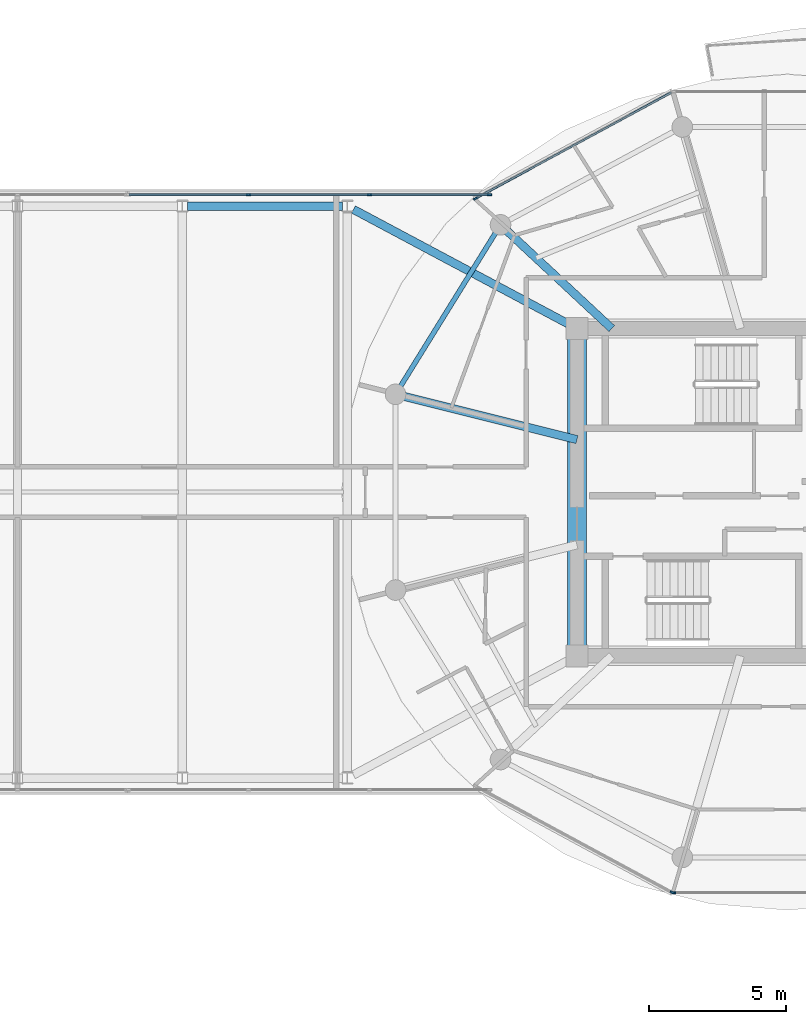
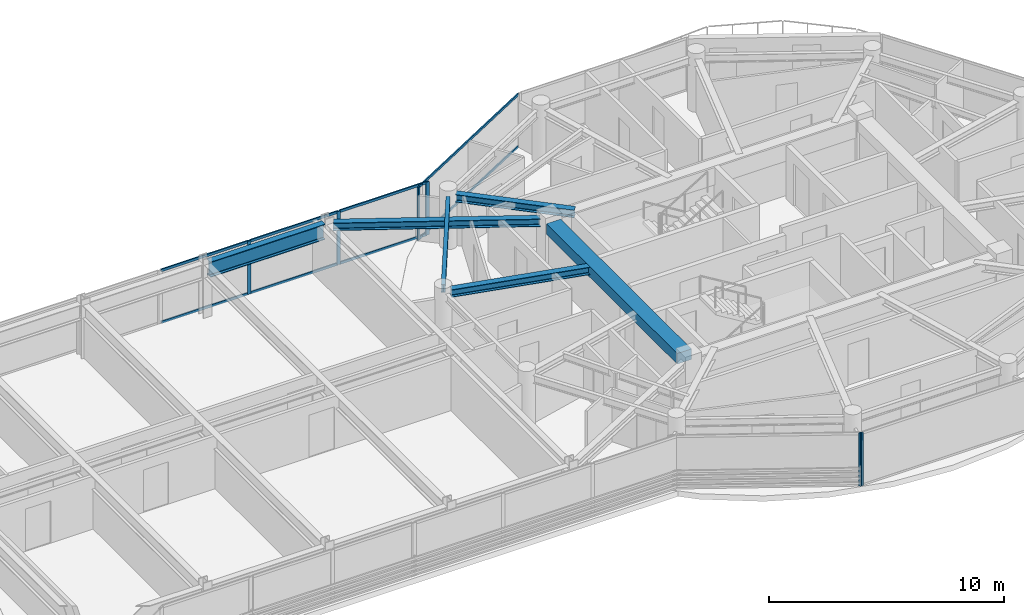
# One storey, part 8 of 23: 14 members, 6 beams, 4 elements without a shape of their own.
"""IFC4 building model written with IfcOpenShell, lengths in metres."""

from ifc_helpers import new_model, si_unit, direction, frame, origin, origin_2d, place, context, subcontext, project, spatial, rectangle, i_section, extrude, source, transform, mapped, material, layer, layer_set, material_profile, profile_set, type_object, type_shapes, element, aggregate, save


model = new_model("IFC4")

# Units and contexts
model_context = context("Model", 3, precision=1e-05, world=origin(), true_north=direction((0.0, 1.0)))
body_context = subcontext(model_context, "Body", "Model", "MODEL_VIEW")
ifc_project = project(units=[si_unit("LENGTHUNIT", "METRE"), si_unit("AREAUNIT", "SQUARE_METRE"), si_unit("VOLUMEUNIT", "CUBIC_METRE"), si_unit("PLANEANGLEUNIT", "RADIAN"), si_unit("MASSUNIT", "GRAM", prefix="KILO")], contexts=[model_context])

# Site, building, storey
site_placement = place(None, origin())
site = spatial("IfcSite", under=ifc_project, at=site_placement, CompositionType="ELEMENT")
building_placement = place(site_placement, origin())
building = spatial("IfcBuilding", under=site, at=building_placement, Name="Norrkilde Senior Care Towers", CompositionType="ELEMENT")
storey_placement = place(building_placement, frame((0.0, 0.0, 216.949951171875)))
storey = spatial("IfcBuildingStorey", under=building, at=storey_placement, Name="L67", CompositionType="ELEMENT", Elevation=216.949951171875)

# Beams
ifc_material_1 = material(Name="Concrete C60/75", Category="concrete")
ifc_material_profile_1 = material_profile(ifc_material_1, rectangle(XDim=0.699951171875, YDim=0.550048828125, at=origin_2d()), Name="RC BM 700x550")
ifc_profile_set_1 = profile_set([ifc_material_profile_1], Name="Concrete C60/75")
beam_type_1 = type_object("IfcBeamType", Name="Core Portal Coupling Beam 700x550", PredefinedType="USERDEFINED", material=ifc_profile_set_1)
shared_shape_1 = source(origin(), body_context, "Body", "SweptSolid", [
    extrude(rectangle(XDim=0.699951171875, YDim=0.550048828125, at=origin_2d()), origin(), (0.0, 0.0, 1.0), 11.14013671875),
])
type_shapes(beam_type_1, [shared_shape_1])
beam_1_placement = place(storey_placement, frame((20.35009765625, -5.570068359375, 2.485107421875), z_axis=(0.0, 1.0, 0.0), x_axis=(-1.0, 0.0, 0.0)))
element("IfcBeam", 1, at=beam_1_placement, inside=storey, type_object=beam_type_1, Name="L67 Core E W Coupling Girder", ObjectType="GIRDER", PredefinedType="USERDEFINED", context=body_context, shape_type="MappedRepresentation", body=[
    mapped(shared_shape_1, transform((0.0, 0.0, 0.0), x_axis=(1.0, 0.0, 0.0), y_axis=(0.0, 1.0, 0.0), z_axis=(0.0, 0.0, 1.0), scale=1.0)),
])
ifc_material_2 = material(Name="Steel S355", Category="steel")
ifc_material_profile_2 = material_profile(ifc_material_2, i_section(OverallWidth=0.179931640625, OverallDepth=0.39990234375, WebThickness=0.008544921875, FlangeThickness=0.013427734375, FilletRadius=0.02099609375, at=origin_2d()), Name="IPE 400")
ifc_profile_set_2 = profile_set([ifc_material_profile_2], Name="Steel S355")
beam_type_2 = type_object("IfcBeamType", Name="Perimeter Ring Spandrel Z4 IPE400", PredefinedType="SPANDREL", material=ifc_profile_set_2)
shared_shape_2 = source(origin(), body_context, "Body", "SweptSolid", [
    extrude(i_section(OverallWidth=0.179931640625, OverallDepth=0.39990234375, WebThickness=0.008544921875, FlangeThickness=0.013427734375, FilletRadius=0.02099609375, at=origin_2d()), origin(), (0.0, 0.0, 1.0), 6.58056640625),
])
type_shapes(beam_type_2, [shared_shape_2])
beam_2_placement = place(storey_placement, frame((17.393798828125, 9.43798828125, 2.56005859375), z_axis=(-0.526529583789, -0.850156807533, 0.0), x_axis=(0.850156807533, -0.526529583789, 0.0)))
element("IfcBeam", 2, at=beam_2_placement, inside=storey, type_object=beam_type_2, Name="L67 Drum E Perimeter Spandrel 05", PredefinedType="SPANDREL", context=body_context, shape_type="MappedRepresentation", body=[
    mapped(shared_shape_2, transform((0.0, 0.0, 0.0), x_axis=(1.0, 0.0, 0.0), y_axis=(0.0, 1.0, 0.0), z_axis=(0.0, 0.0, 1.0), scale=1.0)),
])
ifc_material_profile_3 = material_profile(ifc_material_2, i_section(OverallWidth=0.300048828125, OverallDepth=0.39990234375, WebThickness=0.013427734375, FlangeThickness=0.02392578125, FilletRadius=0.027099609375, at=origin_2d()), Name="HEB 400")
ifc_profile_set_3 = profile_set([ifc_material_profile_3], Name="Steel S355")
beam_type_3 = type_object("IfcBeamType", Name="Radial Floor Beam Z4 HEB400", PredefinedType="BEAM", material=ifc_profile_set_3)
shared_shape_3 = source(origin(), body_context, "Body", "SweptSolid", [
    extrude(i_section(OverallWidth=0.300048828125, OverallDepth=0.39990234375, WebThickness=0.013427734375, FlangeThickness=0.02392578125, FilletRadius=0.027099609375, at=origin_2d()), origin(), (0.0, 0.0, 1.0), 6.465087890625),
])
beam_3_placement = place(storey_placement, frame((20.35009765625, 1.910888671875, 2.56005859375), z_axis=(-0.970195788563, 0.242322371758, 0.0), x_axis=(-0.242322371758, -0.970195788563, 0.0)))
element("IfcBeam", 3, at=beam_3_placement, inside=storey, type_object=beam_type_3, Name="L67 Drum E Radial Floor Beam 06", PredefinedType="BEAM", context=body_context, shape_type="MappedRepresentation", body=[
    mapped(shared_shape_3, transform((0.0, 0.0, 0.0), x_axis=(1.0, 0.0, 0.0), y_axis=(0.0, 1.0, 0.0), z_axis=(0.0, 0.0, 1.0), scale=1.0)),
])
shared_shape_4 = source(origin(), body_context, "Body", "SweptSolid", [
    extrude(i_section(OverallWidth=0.300048828125, OverallDepth=0.39990234375, WebThickness=0.013427734375, FlangeThickness=0.02392578125, FilletRadius=0.027099609375, at=origin_2d()), origin(), (0.0, 0.0, 1.0), 5.197998046875),
])
beam_4_placement = place(storey_placement, frame((21.6171875, 5.949951171875, 2.56005859375), z_axis=(-0.731448749334, 0.681896419625, 0.0), x_axis=(-0.681896419625, -0.731448749334, 0.0)))
element("IfcBeam", 4, at=beam_4_placement, inside=storey, type_object=beam_type_3, Name="L67 Drum E Radial Floor Beam 05", PredefinedType="BEAM", context=body_context, shape_type="MappedRepresentation", body=[
    mapped(shared_shape_4, transform((0.0, 0.0, 0.0), x_axis=(1.0, 0.0, 0.0), y_axis=(0.0, 1.0, 0.0), z_axis=(0.0, 0.0, 1.0), scale=1.0)),
])
shared_shape_5 = source(origin(), body_context, "Body", "SweptSolid", [
    extrude(i_section(OverallWidth=0.300048828125, OverallDepth=0.39990234375, WebThickness=0.013427734375, FlangeThickness=0.02392578125, FilletRadius=0.027099609375, at=origin_2d()), origin(), (0.0, 0.0, 1.0), 8.831787109375),
])
type_shapes(beam_type_3, [shared_shape_3, shared_shape_4, shared_shape_5])
beam_5_placement = place(storey_placement, frame((12.220703125, 10.282470703125, 2.56005859375), z_axis=(0.882492172381, -0.470327083727, 0.0), x_axis=(0.470327083727, 0.882492172381, 0.0)))
element("IfcBeam", 5, at=beam_5_placement, inside=storey, type_object=beam_type_3, Name="L67 Sky-Gate Bridge Girder N6", PredefinedType="BEAM", context=body_context, shape_type="MappedRepresentation", body=[
    mapped(shared_shape_5, transform((0.0, 0.0, 0.0), x_axis=(1.0, 0.0, 0.0), y_axis=(0.0, 1.0, 0.0), z_axis=(0.0, 0.0, 1.0), scale=1.0)),
])
ifc_material_profile_4 = material_profile(ifc_material_2, i_section(OverallWidth=0.300048828125, OverallDepth=0.800048828125, WebThickness=0.017578125, FlangeThickness=0.032958984375, FilletRadius=0.030029296875, at=origin_2d()), Name="HEB 800")
ifc_profile_set_4 = profile_set([ifc_material_profile_4], Name="Steel S355")
beam_type_4 = type_object("IfcBeamType", Name="Bridge Floor Girder HEB800", PredefinedType="USERDEFINED", material=ifc_profile_set_4)
shared_shape_6 = source(origin(), body_context, "Body", "SweptSolid", [
    extrude(i_section(OverallWidth=0.300048828125, OverallDepth=0.800048828125, WebThickness=0.017578125, FlangeThickness=0.032958984375, FilletRadius=0.030029296875, at=origin_2d()), origin(), (0.0, 0.0, 1.0), 5.64013671875),
])
type_shapes(beam_type_4, [shared_shape_6])
beam_6_placement = place(storey_placement, frame((6.179931640625, 10.39990234375, 2.360107421875), z_axis=(1.0, 0.0, 0.0), x_axis=(0.0, 1.0, 0.0)))
element("IfcBeam", 6, at=beam_6_placement, inside=storey, type_object=beam_type_4, Name="L67 Sky-Gate Bridge Girder N5", ObjectType="GIRDER", PredefinedType="USERDEFINED", context=body_context, shape_type="MappedRepresentation", body=[
    mapped(shared_shape_6, transform((0.0, 0.0, 0.0), x_axis=(1.0, 0.0, 0.0), y_axis=(0.0, 1.0, 0.0), z_axis=(0.0, 0.0, 1.0), scale=1.0)),
])

# Curtain wall, members
ifc_material_3 = material(Name="Triple Low-E Insulated Glazing", Category="glass")
ifc_layer_1 = layer(ifc_material_3, 0.18505859375)
ifc_layer_set_1 = layer_set([ifc_layer_1], Name="Triple Low-E Insulated Glazing")
curtain_wall_type_1 = type_object("IfcCurtainWallType", Name="CW6 Zone 4 Crown Pavilion Curtain Wall", PredefinedType="NOTDEFINED", material=ifc_layer_set_1)
curtain_wall_1_placement = place(storey_placement, origin())
curtain_wall_1 = element("IfcCurtainWall", 7, at=curtain_wall_1_placement, inside=storey, type_object=curtain_wall_type_1, Name="L67 Drum E Curtain Wall 03", PredefinedType="NOTDEFINED")
ifc_material_4 = material(Name="Anodised Aluminium", Category="aluminium")
ifc_material_profile_5 = material_profile(ifc_material_4, rectangle(XDim=0.06005859375, YDim=0.1201171875, at=origin_2d()), Name="ALU TRAN 60x120")
ifc_profile_set_5 = profile_set([ifc_material_profile_5], Name="Anodised Aluminium")
member_type_1 = type_object("IfcMemberType", Name="Curtain Wall Transom Typical 60x120", PredefinedType="USERDEFINED", material=ifc_profile_set_5)
shared_shape_7 = source(origin(), body_context, "Body", "SweptSolid", [
    extrude(rectangle(XDim=0.06005859375, YDim=0.1201171875, at=origin_2d()), origin(), (0.0, 0.0, 1.0), 8.0673828125),
])
type_shapes(member_type_1, [shared_shape_7])
member_1_placement = place(storey_placement, frame((16.686767578125, 10.694091796875, 0.030029296875), z_axis=(0.87937750072, 0.476125205411, 0.0), x_axis=(-0.476125205411, 0.87937750072, 0.0)))
member_1 = element("IfcMember", 8, at=member_1_placement, type_object=member_type_1, Name="CW-6 transom 1.1", ObjectType="TRANSOM", PredefinedType="USERDEFINED", context=body_context, shape_type="MappedRepresentation", body=[
    mapped(shared_shape_7, transform((0.0, 0.0, 0.0), x_axis=(1.0, 0.0, 0.0), y_axis=(0.0, 1.0, 0.0), z_axis=(0.0, 0.0, 1.0), scale=1.0)),
])
member_2_placement = place(storey_placement, frame((16.686767578125, 10.694091796875, 2.72998046875), z_axis=(0.87937750072, 0.476125205411, 0.0), x_axis=(-0.476125205411, 0.87937750072, 0.0)))
member_2 = element("IfcMember", 9, at=member_2_placement, type_object=member_type_1, Name="CW-6 transom 1.2", ObjectType="TRANSOM", PredefinedType="USERDEFINED", context=body_context, shape_type="MappedRepresentation", body=[
    mapped(shared_shape_7, transform((0.0, 0.0, 0.0), x_axis=(1.0, 0.0, 0.0), y_axis=(0.0, 1.0, 0.0), z_axis=(0.0, 0.0, 1.0), scale=1.0)),
])
ifc_material_profile_6 = material_profile(ifc_material_4, rectangle(XDim=0.06494140625, YDim=0.14990234375, at=origin_2d()), Name="ALU MULL 65x150")
ifc_profile_set_6 = profile_set([ifc_material_profile_6], Name="Anodised Aluminium")
member_type_2 = type_object("IfcMemberType", Name="Curtain Wall Mullion Z3-Z4 65x150", PredefinedType="MULLION", material=ifc_profile_set_6)
shared_shape_8 = source(origin(), body_context, "Body", "SweptSolid", [
    extrude(rectangle(XDim=0.06494140625, YDim=0.14990234375, at=origin_2d()), origin(), (0.0, 0.0, 1.0), 2.760009765625),
])
type_shapes(member_type_2, [shared_shape_8])
member_3_placement = place(storey_placement, frame((16.658203125, 10.6787109375, 0.0), z_axis=(0.0, 0.0, 1.0), x_axis=(-0.476132676136, 0.879373455772, 0.0)))
member_3 = element("IfcMember", 10, at=member_3_placement, type_object=member_type_2, Name="CW-6 mullion 1", PredefinedType="MULLION", context=body_context, shape_type="MappedRepresentation", body=[
    mapped(shared_shape_8, transform((0.0, 0.0, 0.0), x_axis=(1.0, 0.0, 0.0), y_axis=(0.0, 1.0, 0.0), z_axis=(0.0, 0.0, 1.0), scale=1.0)),
])
aggregate(curtain_wall_1, [member_3, member_1, member_2])

# Curtain wall, member
curtain_wall_2_placement = place(storey_placement, origin())
curtain_wall_2 = element("IfcCurtainWall", 11, at=curtain_wall_2_placement, inside=storey, type_object=curtain_wall_type_1, Name="L67 Drum E Curtain Wall 07", PredefinedType="NOTDEFINED")
member_4_placement = place(storey_placement, frame((23.8095703125, -14.55078125, 0.0), z_axis=(0.0, 0.0, 1.0), x_axis=(-0.476132676136, -0.879373455772, 0.0)))
member_4 = element("IfcMember", 12, at=member_4_placement, type_object=member_type_2, Name="CW-6 mullion 1", PredefinedType="MULLION", context=body_context, shape_type="MappedRepresentation", body=[
    mapped(shared_shape_8, transform((0.0, 0.0, 0.0), x_axis=(1.0, 0.0, 0.0), y_axis=(0.0, 1.0, 0.0), z_axis=(0.0, 0.0, 1.0), scale=1.0)),
])
aggregate(curtain_wall_2, [member_4])

curtain_wall_3_placement = place(storey_placement, origin())
curtain_wall_3 = element("IfcCurtainWall", 13, at=curtain_wall_3_placement, inside=storey, type_object=curtain_wall_type_1, Name="L67 Drum E Curtain Wall 08", PredefinedType="NOTDEFINED")
member_5_placement = place(storey_placement, frame((23.87060546875, -14.566162109375, 0.0), z_axis=(0.0, 0.0, 1.0), x_axis=(0.0, -1.0, 0.0)))
member_5 = element("IfcMember", 14, at=member_5_placement, type_object=member_type_2, Name="CW-6 mullion 2", PredefinedType="MULLION", context=body_context, shape_type="MappedRepresentation", body=[
    mapped(shared_shape_8, transform((0.0, 0.0, 0.0), x_axis=(1.0, 0.0, 0.0), y_axis=(0.0, 1.0, 0.0), z_axis=(0.0, 0.0, 1.0), scale=1.0)),
])
aggregate(curtain_wall_3, [member_5])

# Curtain wall, members
ifc_layer_2 = layer(ifc_material_3, 0.2099609375)
ifc_layer_set_2 = layer_set([ifc_layer_2], Name="Triple Low-E Insulated Glazing")
curtain_wall_type_2 = type_object("IfcCurtainWallType", Name="CW5 Sky-Gate Bridge Curtain Wall", PredefinedType="NOTDEFINED", material=ifc_layer_set_2)
curtain_wall_4_placement = place(storey_placement, origin())
curtain_wall_4 = element("IfcCurtainWall", 15, at=curtain_wall_4_placement, inside=storey, type_object=curtain_wall_type_2, Name="L67 Sky-Gate Bridge North Curtain Wall 3", PredefinedType="NOTDEFINED")
ifc_material_profile_7 = material_profile(ifc_material_4, rectangle(XDim=0.06494140625, YDim=0.1298828125, at=origin_2d()), Name="ALU TRAN 65x130")
ifc_profile_set_7 = profile_set([ifc_material_profile_7], Name="Anodised Aluminium")
member_type_3 = type_object("IfcMemberType", Name="Curtain Wall Transom Heavy 65x130", PredefinedType="USERDEFINED", material=ifc_profile_set_7)
shared_shape_9 = source(origin(), body_context, "Body", "SweptSolid", [
    extrude(rectangle(XDim=0.06494140625, YDim=0.1298828125, at=origin_2d()), origin(), (0.0, 0.0, 1.0), 4.294921875),
])
member_6_placement = place(storey_placement, frame((4.070068359375, 10.820068359375, 0.032470703125), z_axis=(1.0, 0.0, 0.0), x_axis=(0.0, 1.0, 0.0)))
member_6 = element("IfcMember", 16, at=member_6_placement, type_object=member_type_3, Name="CW-5 transom 1.1", ObjectType="TRANSOM", PredefinedType="USERDEFINED", context=body_context, shape_type="MappedRepresentation", body=[
    mapped(shared_shape_9, transform((0.0, 0.0, 0.0), x_axis=(1.0, 0.0, 0.0), y_axis=(0.0, 1.0, 0.0), z_axis=(0.0, 0.0, 1.0), scale=1.0)),
])
member_7_placement = place(storey_placement, frame((4.070068359375, 10.820068359375, 2.7275390625), z_axis=(1.0, 0.0, 0.0), x_axis=(0.0, 1.0, 0.0)))
member_7 = element("IfcMember", 17, at=member_7_placement, type_object=member_type_3, Name="CW-5 transom 1.2", ObjectType="TRANSOM", PredefinedType="USERDEFINED", context=body_context, shape_type="MappedRepresentation", body=[
    mapped(shared_shape_9, transform((0.0, 0.0, 0.0), x_axis=(1.0, 0.0, 0.0), y_axis=(0.0, 1.0, 0.0), z_axis=(0.0, 0.0, 1.0), scale=1.0)),
])
member_8_placement = place(storey_placement, frame((12.8349609375, 10.820068359375, 0.032470703125), z_axis=(1.0, 0.0, 0.0), x_axis=(0.0, 1.0, 0.0)))
member_8 = element("IfcMember", 18, at=member_8_placement, type_object=member_type_3, Name="CW-5 transom 3.1", ObjectType="TRANSOM", PredefinedType="USERDEFINED", context=body_context, shape_type="MappedRepresentation", body=[
    mapped(shared_shape_9, transform((0.0, 0.0, 0.0), x_axis=(1.0, 0.0, 0.0), y_axis=(0.0, 1.0, 0.0), z_axis=(0.0, 0.0, 1.0), scale=1.0)),
])
member_9_placement = place(storey_placement, frame((12.8349609375, 10.820068359375, 2.7275390625), z_axis=(1.0, 0.0, 0.0), x_axis=(0.0, 1.0, 0.0)))
member_9 = element("IfcMember", 19, at=member_9_placement, type_object=member_type_3, Name="CW-5 transom 3.2", ObjectType="TRANSOM", PredefinedType="USERDEFINED", context=body_context, shape_type="MappedRepresentation", body=[
    mapped(shared_shape_9, transform((0.0, 0.0, 0.0), x_axis=(1.0, 0.0, 0.0), y_axis=(0.0, 1.0, 0.0), z_axis=(0.0, 0.0, 1.0), scale=1.0)),
])
shared_shape_10 = source(origin(), body_context, "Body", "SweptSolid", [
    extrude(rectangle(XDim=0.06494140625, YDim=0.1298828125, at=origin_2d()), origin(), (0.0, 0.0, 1.0), 4.329833984375),
])
type_shapes(member_type_3, [shared_shape_9, shared_shape_10])
member_10_placement = place(storey_placement, frame((8.43505859375, 10.820068359375, 0.032470703125), z_axis=(1.0, 0.0, 0.0), x_axis=(0.0, 1.0, 0.0)))
member_10 = element("IfcMember", 20, at=member_10_placement, type_object=member_type_3, Name="CW-5 transom 2.1", ObjectType="TRANSOM", PredefinedType="USERDEFINED", context=body_context, shape_type="MappedRepresentation", body=[
    mapped(shared_shape_10, transform((0.0, 0.0, 0.0), x_axis=(1.0, 0.0, 0.0), y_axis=(0.0, 1.0, 0.0), z_axis=(0.0, 0.0, 1.0), scale=1.0)),
])
member_11_placement = place(storey_placement, frame((8.43505859375, 10.820068359375, 2.7275390625), z_axis=(1.0, 0.0, 0.0), x_axis=(0.0, 1.0, 0.0)))
member_11 = element("IfcMember", 21, at=member_11_placement, type_object=member_type_3, Name="CW-5 transom 2.2", ObjectType="TRANSOM", PredefinedType="USERDEFINED", context=body_context, shape_type="MappedRepresentation", body=[
    mapped(shared_shape_10, transform((0.0, 0.0, 0.0), x_axis=(1.0, 0.0, 0.0), y_axis=(0.0, 1.0, 0.0), z_axis=(0.0, 0.0, 1.0), scale=1.0)),
])
ifc_material_profile_8 = material_profile(ifc_material_4, rectangle(XDim=0.070068359375, YDim=0.169921875, at=origin_2d()), Name="ALU MULL 70x170")
ifc_profile_set_8 = profile_set([ifc_material_profile_8], Name="Anodised Aluminium")
member_type_4 = type_object("IfcMemberType", Name="Curtain Wall Mullion Heavy 70x170", PredefinedType="MULLION", material=ifc_profile_set_8)
shared_shape_11 = source(origin(), body_context, "Body", "SweptSolid", [
    extrude(rectangle(XDim=0.070068359375, YDim=0.169921875, at=origin_2d()), origin(), (0.0, 0.0, 1.0), 2.760009765625),
])
type_shapes(member_type_4, [shared_shape_11])
member_12_placement = place(storey_placement, frame((8.39990234375, 10.820068359375, 0.0), z_axis=(0.0, 0.0, 1.0), x_axis=(0.0, 1.0, 0.0)))
member_12 = element("IfcMember", 22, at=member_12_placement, type_object=member_type_4, Name="CW-5 mullion 2", PredefinedType="MULLION", context=body_context, shape_type="MappedRepresentation", body=[
    mapped(shared_shape_11, transform((0.0, 0.0, 0.0), x_axis=(1.0, 0.0, 0.0), y_axis=(0.0, 1.0, 0.0), z_axis=(0.0, 0.0, 1.0), scale=1.0)),
])
member_13_placement = place(storey_placement, frame((12.800048828125, 10.820068359375, 0.0), z_axis=(0.0, 0.0, 1.0), x_axis=(0.0, 1.0, 0.0)))
member_13 = element("IfcMember", 23, at=member_13_placement, type_object=member_type_4, Name="CW-5 mullion 3", PredefinedType="MULLION", context=body_context, shape_type="MappedRepresentation", body=[
    mapped(shared_shape_11, transform((0.0, 0.0, 0.0), x_axis=(1.0, 0.0, 0.0), y_axis=(0.0, 1.0, 0.0), z_axis=(0.0, 0.0, 1.0), scale=1.0)),
])
member_14_placement = place(storey_placement, frame((17.1650390625, 10.820068359375, 0.0), z_axis=(0.0, 0.0, 1.0), x_axis=(0.0, 1.0, 0.0)))
member_14 = element("IfcMember", 24, at=member_14_placement, type_object=member_type_4, Name="CW-5 mullion 4", PredefinedType="MULLION", context=body_context, shape_type="MappedRepresentation", body=[
    mapped(shared_shape_11, transform((0.0, 0.0, 0.0), x_axis=(1.0, 0.0, 0.0), y_axis=(0.0, 1.0, 0.0), z_axis=(0.0, 0.0, 1.0), scale=1.0)),
])
aggregate(curtain_wall_4, [member_12, member_13, member_14, member_6, member_7, member_10, member_11, member_8, member_9])

save(model, "model.ifc")
